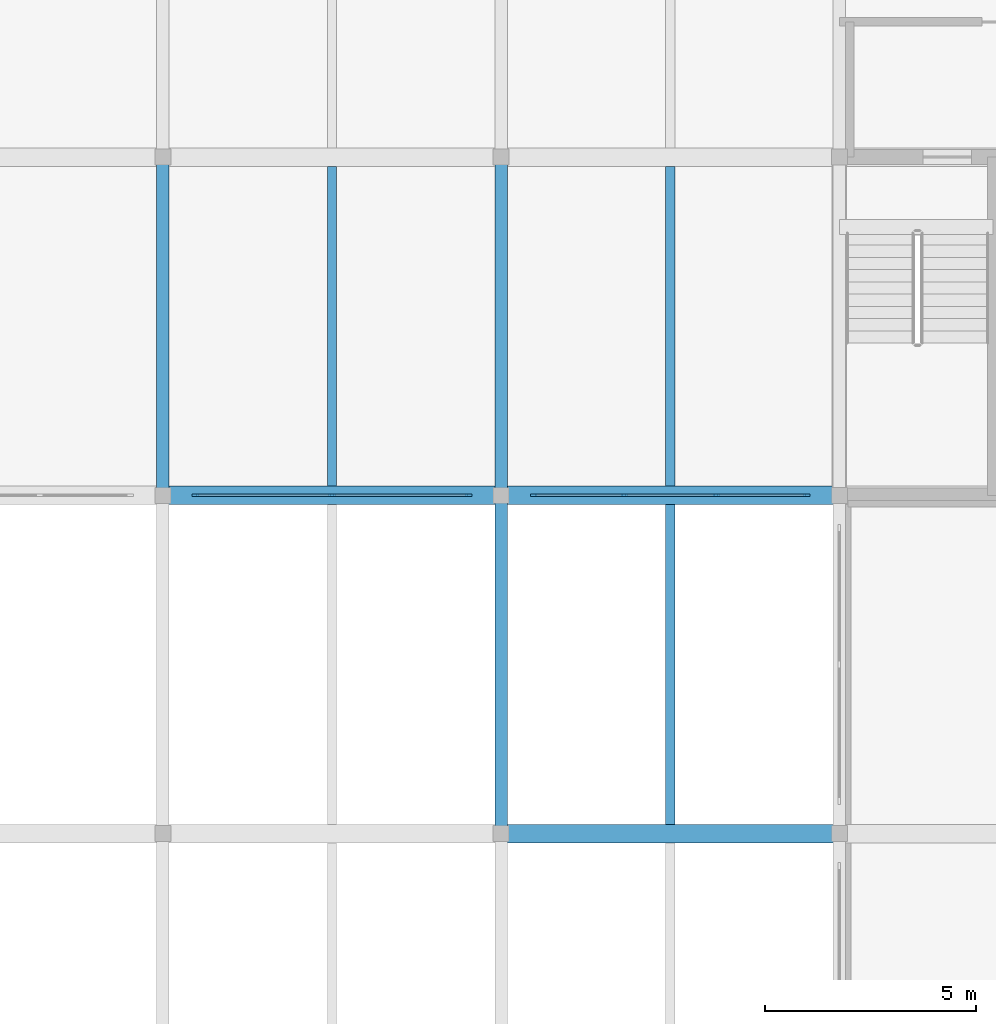
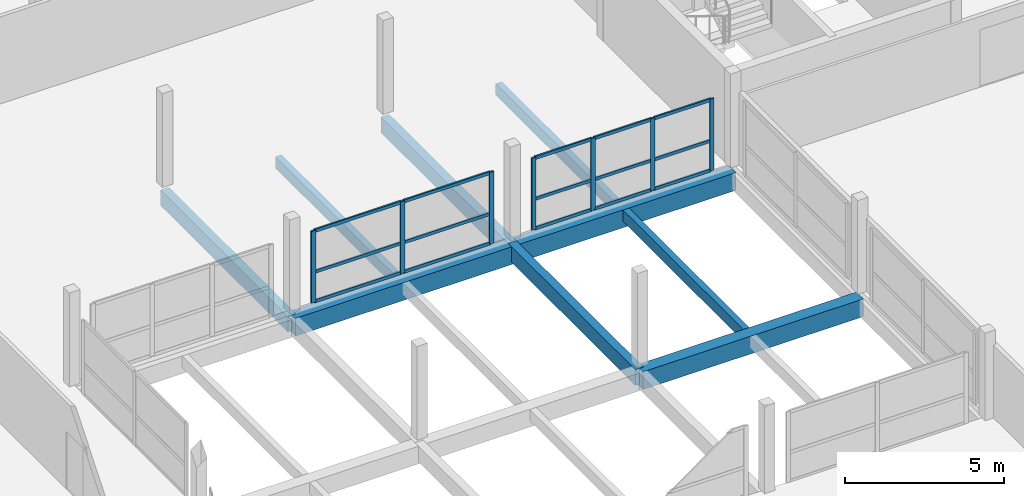
# One storey, part 11 of 34: 22 members, 9 beams, 2 elements without a shape of their own.
"""IFC4 building model written with IfcOpenShell, lengths in metres."""

from ifc_helpers import new_model, si_unit, direction, frame, origin, origin_2d, place, context, subcontext, project, spatial, rectangle, extrude, material, material_profile, profile_set, type_object, element, aggregate, save


model = new_model("IFC4")

# Units and contexts
model_context = context("Model", 3, precision=1e-05, world=origin(), true_north=direction((0.0, 1.0)))
body_context = subcontext(model_context, "Body", "Model", "MODEL_VIEW")
ifc_project = project(units=[si_unit("LENGTHUNIT", "METRE"), si_unit("AREAUNIT", "SQUARE_METRE"), si_unit("VOLUMEUNIT", "CUBIC_METRE"), si_unit("PLANEANGLEUNIT", "RADIAN"), si_unit("MASSUNIT", "GRAM", prefix="KILO")], contexts=[model_context])

# Site, building, storey
site_placement = place(None, origin())
site = spatial("IfcSite", under=ifc_project, at=site_placement, CompositionType="ELEMENT")
building_placement = place(site_placement, origin())
building = spatial("IfcBuilding", under=site, at=building_placement, Name="Vharandega Faculty of Natural Sciences", CompositionType="ELEMENT")
storey_placement = place(building_placement, frame((0.0, 0.0, 21.60009765625)))
storey = spatial("IfcBuildingStorey", under=building, at=storey_placement, Name="L05", CompositionType="ELEMENT", Elevation=21.60009765625)

# Curtain wall, members
ifc_material_1 = material(Name="Aluminium and solar-control glass curtain wall", Category="aluminium")
curtain_wall_type_1 = type_object("IfcCurtainWallType", Name="Unitised Curtain Wall System CW-13", PredefinedType="NOTDEFINED", material=ifc_material_1)
curtain_wall_1_placement = place(storey_placement, origin())
curtain_wall_1 = element("IfcCurtainWall", 1, at=curtain_wall_1_placement, inside=storey, type_object=curtain_wall_type_1, Name="Curtain Wall CW-L05-208", PredefinedType="NOTDEFINED")
ifc_material_2 = material(Name="Thermally broken aluminium 6063-T6", Category="aluminium")
ifc_material_profile_1 = material_profile(ifc_material_2, rectangle(XDim=0.06005859375, YDim=0.159912109375, at=origin_2d()), Name="ALU 60x160")
ifc_profile_set_1 = profile_set([ifc_material_profile_1], Name="Thermally broken aluminium 6063-T6")
member_type_1 = type_object("IfcMemberType", Name="CW Mullion 60x160", PredefinedType="MULLION", material=ifc_profile_set_1)
member_1_placement = place(storey_placement, frame((16.77001953125, 40.0, 0.0), z_axis=(0.0, 0.0, 1.0), x_axis=(0.0, 1.0, 0.0)))
member_1 = element("IfcMember", 2, at=member_1_placement, type_object=member_type_1, Name="CW-13 mullion 1", PredefinedType="MULLION", context=body_context, shape_type="SweptSolid", body=[
    extrude(rectangle(XDim=0.06005859375, YDim=0.159912109375, at=origin_2d()), origin(), (0.0, 0.0, 1.0), 2.760009765625),
])
member_2_placement = place(storey_placement, frame((20.0, 40.0, 0.0), z_axis=(0.0, 0.0, 1.0), x_axis=(0.0, 1.0, 0.0)))
member_2 = element("IfcMember", 3, at=member_2_placement, type_object=member_type_1, Name="CW-13 mullion 2", PredefinedType="MULLION", context=body_context, shape_type="SweptSolid", body=[
    extrude(rectangle(XDim=0.06005859375, YDim=0.159912109375, at=origin_2d()), origin(), (0.0, 0.0, 1.0), 2.760009765625),
])
member_3_placement = place(storey_placement, frame((23.22998046875, 40.0, 0.0), z_axis=(0.0, 0.0, 1.0), x_axis=(0.0, 1.0, 0.0)))
member_3 = element("IfcMember", 4, at=member_3_placement, type_object=member_type_1, Name="CW-13 mullion 3", PredefinedType="MULLION", context=body_context, shape_type="SweptSolid", body=[
    extrude(rectangle(XDim=0.06005859375, YDim=0.159912109375, at=origin_2d()), origin(), (0.0, 0.0, 1.0), 2.760009765625),
])

ifc_material_3 = material(Name="Aluminium and solar-control glass curtain wall", Category="aluminium")
curtain_wall_type_2 = type_object("IfcCurtainWallType", Name="Unitised Curtain Wall System CW-15", PredefinedType="NOTDEFINED", material=ifc_material_3)
curtain_wall_2_placement = place(storey_placement, origin())
curtain_wall_2 = element("IfcCurtainWall", 5, at=curtain_wall_2_placement, inside=storey, type_object=curtain_wall_type_2, Name="Curtain Wall CW-L05-210", PredefinedType="NOTDEFINED")
member_4_placement = place(storey_placement, frame((24.77001953125, 40.0, 0.0), z_axis=(0.0, 0.0, 1.0), x_axis=(0.0, 1.0, 0.0)))
member_4 = element("IfcMember", 6, at=member_4_placement, type_object=member_type_1, Name="CW-15 mullion 1", PredefinedType="MULLION", context=body_context, shape_type="SweptSolid", body=[
    extrude(rectangle(XDim=0.06005859375, YDim=0.159912109375, at=origin_2d()), origin(), (0.0, 0.0, 1.0), 2.760009765625),
])
member_5_placement = place(storey_placement, frame((26.913330078125, 40.0, 0.0), z_axis=(0.0, 0.0, 1.0), x_axis=(0.0, 1.0, 0.0)))
member_5 = element("IfcMember", 7, at=member_5_placement, type_object=member_type_1, Name="CW-15 mullion 2", PredefinedType="MULLION", context=body_context, shape_type="SweptSolid", body=[
    extrude(rectangle(XDim=0.06005859375, YDim=0.159912109375, at=origin_2d()), origin(), (0.0, 0.0, 1.0), 2.760009765625),
])
member_6_placement = place(storey_placement, frame((29.086669921875, 40.0, 0.0), z_axis=(0.0, 0.0, 1.0), x_axis=(0.0, 1.0, 0.0)))
member_6 = element("IfcMember", 8, at=member_6_placement, type_object=member_type_1, Name="CW-15 mullion 3", PredefinedType="MULLION", context=body_context, shape_type="SweptSolid", body=[
    extrude(rectangle(XDim=0.06005859375, YDim=0.159912109375, at=origin_2d()), origin(), (0.0, 0.0, 1.0), 2.760009765625),
])
member_7_placement = place(storey_placement, frame((31.22998046875, 40.0, 0.0), z_axis=(0.0, 0.0, 1.0), x_axis=(0.0, 1.0, 0.0)))
member_7 = element("IfcMember", 9, at=member_7_placement, type_object=member_type_1, Name="CW-15 mullion 4", PredefinedType="MULLION", context=body_context, shape_type="SweptSolid", body=[
    extrude(rectangle(XDim=0.06005859375, YDim=0.159912109375, at=origin_2d()), origin(), (0.0, 0.0, 1.0), 2.760009765625),
])

# Member
ifc_material_4 = material(Name="Thermally broken aluminium 6063-T6", Category="aluminium")
ifc_material_profile_2 = material_profile(ifc_material_4, rectangle(XDim=0.06005859375, YDim=0.1201171875, at=origin_2d()), Name="ALU 60x120")
ifc_profile_set_2 = profile_set([ifc_material_profile_2], Name="Thermally broken aluminium 6063-T6")
member_type_2 = type_object("IfcMemberType", Name="CW Transom 60x120", PredefinedType="USERDEFINED", material=ifc_profile_set_2)
member_8_placement = place(storey_placement, frame((16.800048828125, 40.0, 0.02978515625), z_axis=(1.0, 0.0, 0.0), x_axis=(0.0, 1.0, 0.0)))
member_8 = element("IfcMember", 10, at=member_8_placement, type_object=member_type_2, Name="CW-13 transom 1.1", ObjectType="TRANSOM", PredefinedType="USERDEFINED", context=body_context, shape_type="SweptSolid", body=[
    extrude(rectangle(XDim=0.06005859375, YDim=0.1201171875, at=origin_2d()), origin(), (0.0, 0.0, 1.0), 3.169921875),
])

member_9_placement = place(storey_placement, frame((16.800048828125, 40.0, 1.1591796875), z_axis=(1.0, 0.0, 0.0), x_axis=(0.0, 1.0, 0.0)))
member_9 = element("IfcMember", 11, at=member_9_placement, type_object=member_type_2, Name="CW-13 transom 1.2", ObjectType="TRANSOM", PredefinedType="USERDEFINED", context=body_context, shape_type="SweptSolid", body=[
    extrude(rectangle(XDim=0.06005859375, YDim=0.1201171875, at=origin_2d()), origin(), (0.0, 0.0, 1.0), 3.169921875),
])

member_10_placement = place(storey_placement, frame((16.800048828125, 40.0, 2.72998046875), z_axis=(1.0, 0.0, 0.0), x_axis=(0.0, 1.0, 0.0)))
member_10 = element("IfcMember", 12, at=member_10_placement, type_object=member_type_2, Name="CW-13 transom 1.3", ObjectType="TRANSOM", PredefinedType="USERDEFINED", context=body_context, shape_type="SweptSolid", body=[
    extrude(rectangle(XDim=0.06005859375, YDim=0.1201171875, at=origin_2d()), origin(), (0.0, 0.0, 1.0), 3.169921875),
])

member_11_placement = place(storey_placement, frame((20.030029296875, 40.0, 0.02978515625), z_axis=(1.0, 0.0, 0.0), x_axis=(0.0, 1.0, 0.0)))
member_11 = element("IfcMember", 13, at=member_11_placement, type_object=member_type_2, Name="CW-13 transom 2.1", ObjectType="TRANSOM", PredefinedType="USERDEFINED", context=body_context, shape_type="SweptSolid", body=[
    extrude(rectangle(XDim=0.06005859375, YDim=0.1201171875, at=origin_2d()), origin(), (0.0, 0.0, 1.0), 3.169921875),
])

member_12_placement = place(storey_placement, frame((20.030029296875, 40.0, 1.1591796875), z_axis=(1.0, 0.0, 0.0), x_axis=(0.0, 1.0, 0.0)))
member_12 = element("IfcMember", 14, at=member_12_placement, type_object=member_type_2, Name="CW-13 transom 2.2", ObjectType="TRANSOM", PredefinedType="USERDEFINED", context=body_context, shape_type="SweptSolid", body=[
    extrude(rectangle(XDim=0.06005859375, YDim=0.1201171875, at=origin_2d()), origin(), (0.0, 0.0, 1.0), 3.169921875),
])

member_13_placement = place(storey_placement, frame((20.030029296875, 40.0, 2.72998046875), z_axis=(1.0, 0.0, 0.0), x_axis=(0.0, 1.0, 0.0)))
member_13 = element("IfcMember", 15, at=member_13_placement, type_object=member_type_2, Name="CW-13 transom 2.3", ObjectType="TRANSOM", PredefinedType="USERDEFINED", context=body_context, shape_type="SweptSolid", body=[
    extrude(rectangle(XDim=0.06005859375, YDim=0.1201171875, at=origin_2d()), origin(), (0.0, 0.0, 1.0), 3.169921875),
])

aggregate(curtain_wall_1, [member_1, member_2, member_3, member_8, member_9, member_10, member_11, member_12, member_13])

member_14_placement = place(storey_placement, frame((24.800048828125, 40.0, 0.02978515625), z_axis=(1.0, 0.0, 0.0), x_axis=(0.0, 1.0, 0.0)))
member_14 = element("IfcMember", 16, at=member_14_placement, type_object=member_type_2, Name="CW-15 transom 1.1", ObjectType="TRANSOM", PredefinedType="USERDEFINED", context=body_context, shape_type="SweptSolid", body=[
    extrude(rectangle(XDim=0.06005859375, YDim=0.1201171875, at=origin_2d()), origin(), (0.0, 0.0, 1.0), 2.083251953125),
])

member_15_placement = place(storey_placement, frame((24.800048828125, 40.0, 1.1591796875), z_axis=(1.0, 0.0, 0.0), x_axis=(0.0, 1.0, 0.0)))
member_15 = element("IfcMember", 17, at=member_15_placement, type_object=member_type_2, Name="CW-15 transom 1.2", ObjectType="TRANSOM", PredefinedType="USERDEFINED", context=body_context, shape_type="SweptSolid", body=[
    extrude(rectangle(XDim=0.06005859375, YDim=0.1201171875, at=origin_2d()), origin(), (0.0, 0.0, 1.0), 2.083251953125),
])

member_16_placement = place(storey_placement, frame((24.800048828125, 40.0, 2.72998046875), z_axis=(1.0, 0.0, 0.0), x_axis=(0.0, 1.0, 0.0)))
member_16 = element("IfcMember", 18, at=member_16_placement, type_object=member_type_2, Name="CW-15 transom 1.3", ObjectType="TRANSOM", PredefinedType="USERDEFINED", context=body_context, shape_type="SweptSolid", body=[
    extrude(rectangle(XDim=0.06005859375, YDim=0.1201171875, at=origin_2d()), origin(), (0.0, 0.0, 1.0), 2.083251953125),
])

member_17_placement = place(storey_placement, frame((26.943359375, 40.0, 0.02978515625), z_axis=(1.0, 0.0, 0.0), x_axis=(0.0, 1.0, 0.0)))
member_17 = element("IfcMember", 19, at=member_17_placement, type_object=member_type_2, Name="CW-15 transom 2.1", ObjectType="TRANSOM", PredefinedType="USERDEFINED", context=body_context, shape_type="SweptSolid", body=[
    extrude(rectangle(XDim=0.06005859375, YDim=0.1201171875, at=origin_2d()), origin(), (0.0, 0.0, 1.0), 2.11328125),
])

member_18_placement = place(storey_placement, frame((26.943359375, 40.0, 1.1591796875), z_axis=(1.0, 0.0, 0.0), x_axis=(0.0, 1.0, 0.0)))
member_18 = element("IfcMember", 20, at=member_18_placement, type_object=member_type_2, Name="CW-15 transom 2.2", ObjectType="TRANSOM", PredefinedType="USERDEFINED", context=body_context, shape_type="SweptSolid", body=[
    extrude(rectangle(XDim=0.06005859375, YDim=0.1201171875, at=origin_2d()), origin(), (0.0, 0.0, 1.0), 2.11328125),
])

member_19_placement = place(storey_placement, frame((26.943359375, 40.0, 2.72998046875), z_axis=(1.0, 0.0, 0.0), x_axis=(0.0, 1.0, 0.0)))
member_19 = element("IfcMember", 21, at=member_19_placement, type_object=member_type_2, Name="CW-15 transom 2.3", ObjectType="TRANSOM", PredefinedType="USERDEFINED", context=body_context, shape_type="SweptSolid", body=[
    extrude(rectangle(XDim=0.06005859375, YDim=0.1201171875, at=origin_2d()), origin(), (0.0, 0.0, 1.0), 2.11328125),
])

member_20_placement = place(storey_placement, frame((29.11669921875, 40.0, 0.02978515625), z_axis=(1.0, 0.0, 0.0), x_axis=(0.0, 1.0, 0.0)))
member_20 = element("IfcMember", 22, at=member_20_placement, type_object=member_type_2, Name="CW-15 transom 3.1", ObjectType="TRANSOM", PredefinedType="USERDEFINED", context=body_context, shape_type="SweptSolid", body=[
    extrude(rectangle(XDim=0.06005859375, YDim=0.1201171875, at=origin_2d()), origin(), (0.0, 0.0, 1.0), 2.083251953125),
])

member_21_placement = place(storey_placement, frame((29.11669921875, 40.0, 1.1591796875), z_axis=(1.0, 0.0, 0.0), x_axis=(0.0, 1.0, 0.0)))
member_21 = element("IfcMember", 23, at=member_21_placement, type_object=member_type_2, Name="CW-15 transom 3.2", ObjectType="TRANSOM", PredefinedType="USERDEFINED", context=body_context, shape_type="SweptSolid", body=[
    extrude(rectangle(XDim=0.06005859375, YDim=0.1201171875, at=origin_2d()), origin(), (0.0, 0.0, 1.0), 2.083251953125),
])

member_22_placement = place(storey_placement, frame((29.11669921875, 40.0, 2.72998046875), z_axis=(1.0, 0.0, 0.0), x_axis=(0.0, 1.0, 0.0)))
member_22 = element("IfcMember", 24, at=member_22_placement, type_object=member_type_2, Name="CW-15 transom 3.3", ObjectType="TRANSOM", PredefinedType="USERDEFINED", context=body_context, shape_type="SweptSolid", body=[
    extrude(rectangle(XDim=0.06005859375, YDim=0.1201171875, at=origin_2d()), origin(), (0.0, 0.0, 1.0), 2.083251953125),
])

aggregate(curtain_wall_2, [member_4, member_5, member_6, member_7, member_14, member_15, member_16, member_17, member_18, member_19, member_20, member_21, member_22])

# Beams
ifc_material_5 = material(Name="Glulam GL28h", Category="wood")
ifc_material_profile_3 = material_profile(ifc_material_5, rectangle(XDim=0.300048828125, YDim=0.60009765625, at=origin_2d()), Name="GL28h 300x600")
ifc_profile_set_3 = profile_set([ifc_material_profile_3], Name="Glulam GL28h")
beam_type_1 = type_object("IfcBeamType", Name="Glulam Floor Beam 300x600", PredefinedType="BEAM", material=ifc_profile_set_3)
for number, where, z_axis, x_axis, name in (
    (25, (16.0, 40.0, -0.52001953125), (0.0, 1.0, 0.0), (-1.0, 0.0, 0.0), "Beam L05 3/F-G"),
    (26, (24.0, 32.0, -0.52001953125), (0.0, 1.0, 0.0), (-1.0, 0.0, 0.0), "Beam L05 4/E-F"),
    (27, (24.0, 40.0, -0.52001953125), (0.0, 1.0, 0.0), (-1.0, 0.0, 0.0), "Beam L05 4/F-G"),
):
    element("IfcBeam", number, at=place(storey_placement, frame(where, z_axis=z_axis, x_axis=x_axis)), inside=storey, type_object=beam_type_1, Name=name, PredefinedType="BEAM", context=body_context, shape_type="SweptSolid", body=[
        extrude(rectangle(XDim=0.300048828125, YDim=0.60009765625, at=origin_2d()), origin(), (0.0, 0.0, 1.0), 8.0),
    ])
ifc_material_6 = material(Name="Glulam GL32h", Category="wood")
ifc_material_profile_4 = material_profile(ifc_material_6, rectangle(XDim=0.43994140625, YDim=0.679931640625, at=origin_2d()), Name="GL32h 440x680")
ifc_profile_set_4 = profile_set([ifc_material_profile_4], Name="Glulam GL32h")
beam_type_2 = type_object("IfcBeamType", Name="Glulam Girder 440x680", PredefinedType="BEAM", material=ifc_profile_set_4)
for number, where, z_axis, x_axis, name in (
    (28, (24.0, 32.0, -0.56005859375), (1.0, 0.0, 0.0), (0.0, 1.0, 0.0), "Beam L05 E/4-5"),
    (29, (16.0, 40.0, -0.56005859375), (1.0, 0.0, 0.0), (0.0, 1.0, 0.0), "Beam L05 F/3-4"),
    (30, (24.0, 40.0, -0.56005859375), (1.0, 0.0, 0.0), (0.0, 1.0, 0.0), "Beam L05 F/4-5"),
):
    element("IfcBeam", number, at=place(storey_placement, frame(where, z_axis=z_axis, x_axis=x_axis)), inside=storey, type_object=beam_type_2, Name=name, PredefinedType="BEAM", context=body_context, shape_type="SweptSolid", body=[
        extrude(rectangle(XDim=0.43994140625, YDim=0.679931640625, at=origin_2d()), origin(), (0.0, 0.0, 1.0), 8.0),
    ])
ifc_material_7 = material(Name="Glulam GL28h", Category="wood")
ifc_material_profile_5 = material_profile(ifc_material_7, rectangle(XDim=0.219970703125, YDim=0.43994140625, at=origin_2d()), Name="GL28h 220x440")
ifc_profile_set_5 = profile_set([ifc_material_profile_5], Name="Glulam GL28h")
beam_type_3 = type_object("IfcBeamType", Name="Glulam Secondary Joist 220x440", PredefinedType="JOIST", material=ifc_profile_set_5)
for number, where, z_axis, x_axis, name in (
    (31, (20.0, 40.219970703125, -0.440185546875), (0.0, 1.0, 0.0), (-1.0, 0.0, 0.0), "Secondary Joist L05 3-4/F-G"),
    (32, (28.0, 32.219970703125, -0.440185546875), (0.0, 1.0, 0.0), (-1.0, 0.0, 0.0), "Secondary Joist L05 4-5/E-F"),
    (33, (28.0, 40.219970703125, -0.440185546875), (0.0, 1.0, 0.0), (-1.0, 0.0, 0.0), "Secondary Joist L05 4-5/F-G"),
):
    element("IfcBeam", number, at=place(storey_placement, frame(where, z_axis=z_axis, x_axis=x_axis)), inside=storey, type_object=beam_type_3, Name=name, PredefinedType="JOIST", context=body_context, shape_type="SweptSolid", body=[
        extrude(rectangle(XDim=0.219970703125, YDim=0.43994140625, at=origin_2d()), origin(), (0.0, 0.0, 1.0), 7.56005859375),
    ])

save(model, "model.ifc")
